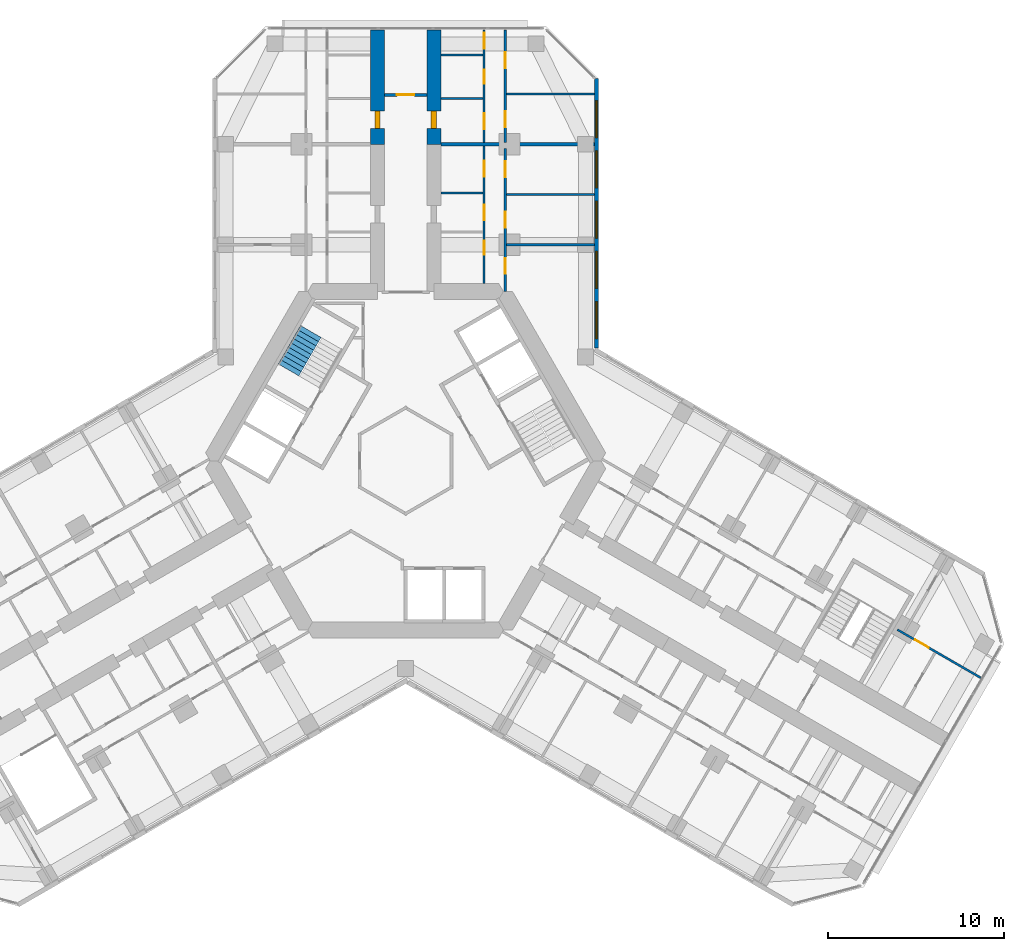
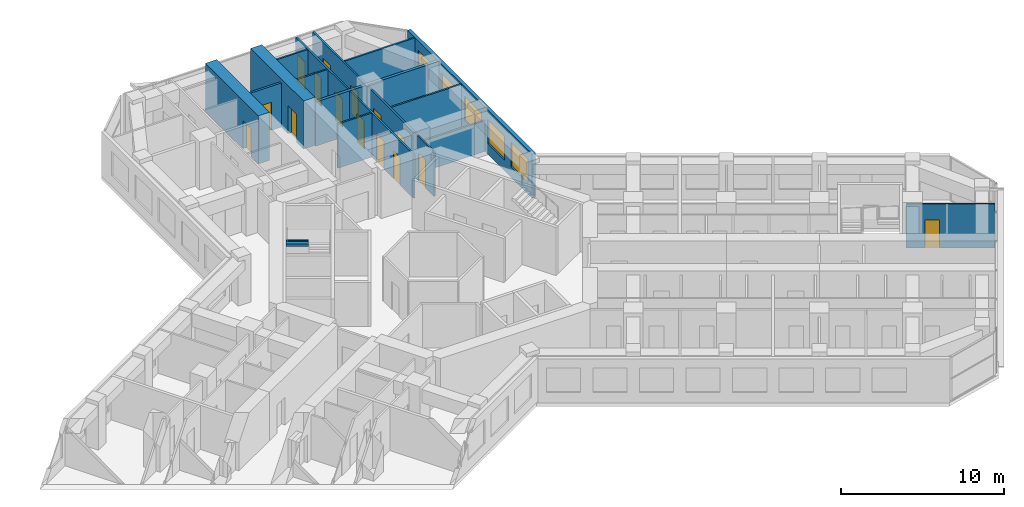
# One storey, part 18 of 20: 16 walls, 15 doors, 5 windows, 1 stair flight, 20 openings, 1 element without a shape of its own.
"""IFC4 building model written with IfcOpenShell, lengths in metres."""

from ifc_helpers import new_model, si_unit, direction, frame, frame_2d, origin, place, context, subcontext, project, spatial, polyline, rectangle, outline, extrude, material, layer, layer_set, type_object, element, fill, aggregate, save


model = new_model("IFC4")

# Units and contexts
model_context = context("Model", 3, precision=1e-05, world=origin(), true_north=direction((0.0, 1.0)))
body_context = subcontext(model_context, "Body", "Model", "MODEL_VIEW")
ifc_project = project(units=[si_unit("LENGTHUNIT", "METRE"), si_unit("AREAUNIT", "SQUARE_METRE"), si_unit("VOLUMEUNIT", "CUBIC_METRE"), si_unit("PLANEANGLEUNIT", "RADIAN"), si_unit("MASSUNIT", "GRAM", prefix="KILO")], contexts=[model_context])

# Site, building, storey
site_placement = place(None, origin())
site = spatial("IfcSite", under=ifc_project, at=site_placement, CompositionType="ELEMENT")
building_placement = place(site_placement, origin())
building = spatial("IfcBuilding", under=site, at=building_placement, Name="Kosmar Iwan School Tower", CompositionType="ELEMENT")
storey_placement = place(building_placement, frame((0.0, 0.0, 183.199951171875)))
storey = spatial("IfcBuildingStorey", under=building, at=storey_placement, Name="L46", CompositionType="ELEMENT", Elevation=183.199951171875)

# Wall, opening, door
ifc_material_1 = material(Name="Concrete C50/60", Category="concrete")
ifc_layer_1 = layer(ifc_material_1, 0.800048828125)
ifc_layer_set_1 = layer_set([ifc_layer_1], Name="Corridor buttress wall 800")
wall_type_1 = type_object("IfcWallType", Name="Corridor buttress wall 800", PredefinedType="SHEAR", material=ifc_layer_set_1)
wall_1_placement = place(storey_placement, frame((-1.60009765625, 17.949951171875, 0.0), z_axis=(0.0, 0.0, 1.0), x_axis=(0.0, 1.0, 0.0)))
wall_1 = element("IfcWall", 1, at=wall_1_placement, inside=storey, type_object=wall_type_1, Name="Corridor wall AL bay 2", PredefinedType="SHEAR", context=body_context, shape_type="SweptSolid", body=[
    extrude(rectangle(XDim=6.4951171875, YDim=0.800048828125, at=frame_2d((3.24755859375, 0.0))), origin(), (0.0, 0.0, 1.0), 3.60009765625),
])
opening_1_placement = place(wall_1_placement, frame((0.89990234375, 0.0, 0.0)))
opening_1 = element("IfcOpeningElement", 2, at=opening_1_placement, cuts=wall_1, Name="Opening D1", PredefinedType="OPENING", context=body_context, shape_type="SweptSolid", body=[
    extrude(rectangle(XDim=1.0, YDim=2.10009765625, at=frame_2d((0.5, 1.050048828125))), frame((0.0, 0.412109375, 0.0), z_axis=(0.0, -1.0, 0.0), x_axis=(1.0, 0.0, 0.0)), (0.0, 0.0, 1.0), 0.823974609375),
])
ifc_material_2 = material(Name="Timber fire door in steel frame", Category="steel")
door_type_1 = type_object("IfcDoorType", Name="Flat entrance door 1000x2100", OperationType="SINGLE_SWING_LEFT", PredefinedType="DOOR", material=ifc_material_2)
door_1_placement = place(opening_1_placement, origin())
door_1 = element("IfcDoor", 3, at=door_1_placement, inside=storey, type_object=door_type_1, Name="Flat L46-AL2 entrance door", OperationType="SINGLE_SWING_RIGHT", OverallHeight=2.10009765625, OverallWidth=1.0, PredefinedType="DOOR", context=body_context, shape_type="SweptSolid", body=[
    extrude(rectangle(XDim=1.0, YDim=2.10009765625, at=frame_2d((0.5, 1.050048828125))), frame((0.0, 0.14990234375, 0.0), z_axis=(0.0, -1.0, 0.0), x_axis=(1.0, 0.0, 0.0)), (0.0, 0.0, 1.0), 0.300048828125),
])
fill(opening_1, door_1)

wall_2_placement = place(storey_placement, frame((1.60009765625, 17.949951171875, 0.0), z_axis=(0.0, 0.0, 1.0), x_axis=(0.0, 1.0, 0.0)))
wall_2 = element("IfcWall", 4, at=wall_2_placement, inside=storey, type_object=wall_type_1, Name="Corridor wall AR bay 2", PredefinedType="SHEAR", context=body_context, shape_type="SweptSolid", body=[
    extrude(rectangle(XDim=6.4951171875, YDim=0.800048828125, at=frame_2d((3.24755859375, 0.0))), origin(), (0.0, 0.0, 1.0), 3.60009765625),
])
opening_2_placement = place(wall_2_placement, frame((0.89990234375, 0.0, 0.0)))
opening_2 = element("IfcOpeningElement", 5, at=opening_2_placement, cuts=wall_2, Name="Opening D1", PredefinedType="OPENING", context=body_context, shape_type="SweptSolid", body=[
    extrude(rectangle(XDim=1.0, YDim=2.10009765625, at=frame_2d((0.5, 1.050048828125))), frame((0.0, 0.412109375, 0.0), z_axis=(0.0, -1.0, 0.0), x_axis=(1.0, 0.0, 0.0)), (0.0, 0.0, 1.0), 0.823974609375),
])
door_2_placement = place(opening_2_placement, origin())
door_2 = element("IfcDoor", 6, at=door_2_placement, inside=storey, type_object=door_type_1, Name="Flat L46-AR2 entrance door", OperationType="SINGLE_SWING_RIGHT", OverallHeight=2.10009765625, OverallWidth=1.0, PredefinedType="DOOR", context=body_context, shape_type="SweptSolid", body=[
    extrude(rectangle(XDim=1.0, YDim=2.10009765625, at=frame_2d((0.5, 1.050048828125))), frame((0.0, 0.14990234375, 0.0), z_axis=(0.0, -1.0, 0.0), x_axis=(1.0, 0.0, 0.0)), (0.0, 0.0, 1.0), 0.300048828125),
])
fill(opening_2, door_2)

ifc_material_3 = material(Name="Gypsum board on steel studs, fire-rated", Category="steel")
ifc_layer_2 = layer(ifc_material_3, 0.14990234375)
ifc_layer_set_2 = layer_set([ifc_layer_2], Name="Corridor end wall 150")
wall_type_2 = type_object("IfcWallType", Name="Corridor end wall 150", PredefinedType="PARTITIONING", material=ifc_layer_set_2)
wall_3_placement = place(storey_placement, frame((1.199951171875, 20.75, 0.0), z_axis=(0.0, 0.0, 1.0), x_axis=(-1.0, 0.0, 0.0)))
wall_3 = element("IfcWall", 7, at=wall_3_placement, inside=storey, type_object=wall_type_2, Name="Partition L46-A-CE", PredefinedType="PARTITIONING", context=body_context, shape_type="SweptSolid", body=[
    extrude(rectangle(XDim=2.39990234375, YDim=0.14990234375, at=frame_2d((1.199951171875, 0.0))), origin(), (0.0, 0.0, 1.0), 3.300048828125),
])
opening_3_placement = place(wall_3_placement, frame((0.699951171875, 0.0, 0.0)))
opening_3 = element("IfcOpeningElement", 8, at=opening_3_placement, cuts=wall_3, Name="Opening D13", PredefinedType="OPENING", context=body_context, shape_type="SweptSolid", body=[
    extrude(rectangle(XDim=1.0, YDim=2.10009765625, at=frame_2d((0.5, 1.050048828125))), frame((0.0, 0.0869140625, 0.0), z_axis=(0.0, -1.0, 0.0), x_axis=(1.0, 0.0, 0.0)), (0.0, 0.0, 1.0), 0.173828125),
])
ifc_material_4 = material(Name="Timber fire door with vision panel", Category="wood")
door_type_2 = type_object("IfcDoorType", Name="Corridor end door 1000x2100", OperationType="SINGLE_SWING_LEFT", PredefinedType="DOOR", material=ifc_material_4)
door_3_placement = place(opening_3_placement, origin())
door_3 = element("IfcDoor", 9, at=door_3_placement, inside=storey, type_object=door_type_2, Name="Prayer room door L46-A", OperationType="SINGLE_SWING_LEFT", OverallHeight=2.10009765625, OverallWidth=1.0, PredefinedType="DOOR", context=body_context, shape_type="SweptSolid", body=[
    extrude(rectangle(XDim=1.0, YDim=2.10009765625, at=frame_2d((0.5, 1.050048828125))), frame((0.0, 0.02490234375, 0.0), z_axis=(0.0, -1.0, 0.0), x_axis=(1.0, 0.0, 0.0)), (0.0, 0.0, 1.0), 0.050048828125),
])
fill(opening_3, door_3)

# Wall, openings, doors
ifc_material_5 = material(Name="Gypsum board on steel studs", Category="steel")
ifc_layer_3 = layer(ifc_material_5, 0.1201171875)
ifc_layer_set_3 = layer_set([ifc_layer_3], Name="Dwelling partition 120")
wall_type_3 = type_object("IfcWallType", Name="Dwelling partition 120", PredefinedType="PARTITIONING", material=ifc_layer_set_3)
wall_4_placement = place(storey_placement, frame((4.449951171875, 10.050048828125, 0.0), z_axis=(0.0, 0.0, 1.0), x_axis=(0.0, 1.0, 0.0)))
wall_4 = element("IfcWall", 10, at=wall_4_placement, inside=storey, type_object=wall_type_3, Name="Partition L46-AR1-W1", PredefinedType="PARTITIONING", context=body_context, shape_type="SweptSolid", body=[
    extrude(rectangle(XDim=7.800048828125, YDim=0.1201171875, at=frame_2d((3.89990234375, 0.0))), origin(), (0.0, 0.0, 1.0), 3.300048828125),
])
opening_4_placement = place(wall_4_placement, frame((1.639892578125, 0.0, 0.0)))
opening_4 = element("IfcOpeningElement", 11, at=opening_4_placement, cuts=wall_4, Name="Opening D3", PredefinedType="OPENING", context=body_context, shape_type="SweptSolid", body=[
    extrude(rectangle(XDim=0.800048828125, YDim=2.10009765625, at=frame_2d((0.39990234375, 1.050048828125))), frame((0.0, 0.072021484375, 0.0), z_axis=(0.0, -1.0, 0.0), x_axis=(1.0, 0.0, 0.0)), (0.0, 0.0, 1.0), 0.14404296875),
])
opening_5_placement = place(wall_4_placement, frame((3.580078125, 0.0, 0.0)))
opening_5 = element("IfcOpeningElement", 12, at=opening_5_placement, cuts=wall_4, Name="Opening D2", PredefinedType="OPENING", context=body_context, shape_type="SweptSolid", body=[
    extrude(rectangle(XDim=0.89990234375, YDim=2.10009765625, at=frame_2d((0.449951171875, 1.050048828125))), frame((0.0, 0.072021484375, 0.0), z_axis=(0.0, -1.0, 0.0), x_axis=(1.0, 0.0, 0.0)), (0.0, 0.0, 1.0), 0.14404296875),
])
opening_6_placement = place(wall_4_placement, frame((6.06494140625, 0.0, 0.0)))
opening_6 = element("IfcOpeningElement", 13, at=opening_6_placement, cuts=wall_4, Name="Opening D2", PredefinedType="OPENING", context=body_context, shape_type="SweptSolid", body=[
    extrude(rectangle(XDim=0.89990234375, YDim=2.10009765625, at=frame_2d((0.449951171875, 1.050048828125))), frame((0.0, 0.072021484375, 0.0), z_axis=(0.0, -1.0, 0.0), x_axis=(1.0, 0.0, 0.0)), (0.0, 0.0, 1.0), 0.14404296875),
])
ifc_material_6 = material(Name="Timber door in timber frame", Category="wood")
door_type_3 = type_object("IfcDoorType", Name="Internal door 900x2100", OperationType="SINGLE_SWING_LEFT", PredefinedType="DOOR", material=ifc_material_6)
door_4_placement = place(opening_5_placement, origin())
door_4 = element("IfcDoor", 14, at=door_4_placement, inside=storey, type_object=door_type_3, Name="Entrance hall door L46-AR1-S2", OperationType="SINGLE_SWING_LEFT", OverallHeight=2.10009765625, OverallWidth=0.89990234375, PredefinedType="DOOR", context=body_context, shape_type="SweptSolid", body=[
    extrude(rectangle(XDim=0.89990234375, YDim=2.10009765625, at=frame_2d((0.449951171875, 1.050048828125))), frame((0.0, 0.02490234375, 0.0), z_axis=(0.0, -1.0, 0.0), x_axis=(1.0, 0.0, 0.0)), (0.0, 0.0, 1.0), 0.050048828125),
])
fill(opening_5, door_4)
door_5_placement = place(opening_6_placement, origin())
door_5 = element("IfcDoor", 15, at=door_5_placement, inside=storey, type_object=door_type_3, Name="Pantry door L46-AR1-S3", OperationType="SINGLE_SWING_RIGHT", OverallHeight=2.10009765625, OverallWidth=0.89990234375, PredefinedType="DOOR", context=body_context, shape_type="SweptSolid", body=[
    extrude(rectangle(XDim=0.89990234375, YDim=2.10009765625, at=frame_2d((0.449951171875, 1.050048828125))), frame((0.0, 0.02490234375, 0.0), z_axis=(0.0, -1.0, 0.0), x_axis=(1.0, 0.0, 0.0)), (0.0, 0.0, 1.0), 0.050048828125),
])
fill(opening_6, door_5)
ifc_material_7 = material(Name="Timber door in timber frame", Category="wood")
door_type_4 = type_object("IfcDoorType", Name="Sanitary room door 800x2100", OperationType="SINGLE_SWING_LEFT", PredefinedType="DOOR", material=ifc_material_7)
door_6_placement = place(opening_4_placement, origin())
door_6 = element("IfcDoor", 16, at=door_6_placement, inside=storey, type_object=door_type_4, Name="Bathroom door L46-AR1-S1", OperationType="SINGLE_SWING_RIGHT", OverallHeight=2.10009765625, OverallWidth=0.800048828125, PredefinedType="DOOR", context=body_context, shape_type="SweptSolid", body=[
    extrude(rectangle(XDim=0.800048828125, YDim=2.10009765625, at=frame_2d((0.39990234375, 1.050048828125))), frame((0.0, 0.02490234375, 0.0), z_axis=(0.0, -1.0, 0.0), x_axis=(1.0, 0.0, 0.0)), (0.0, 0.0, 1.0), 0.050048828125),
])
fill(opening_4, door_6)

wall_5_placement = place(storey_placement, frame((5.64990234375, 9.60009765625, 0.0), z_axis=(0.0, 0.0, 1.0), x_axis=(0.0, 1.0, 0.0)))
wall_5 = element("IfcWall", 17, at=wall_5_placement, inside=storey, type_object=wall_type_3, Name="Partition L46-AR1-W2", PredefinedType="PARTITIONING", context=body_context, shape_type="SweptSolid", body=[
    extrude(rectangle(XDim=8.099853515625, YDim=0.1201171875, at=frame_2d((4.0498046875, 0.0))), origin(), (0.0, 0.0, 1.0), 3.300048828125),
])
opening_7_placement = place(wall_5_placement, frame((1.0, 0.0, 0.0)))
opening_7 = element("IfcOpeningElement", 18, at=opening_7_placement, cuts=wall_5, Name="Opening D2", PredefinedType="OPENING", context=body_context, shape_type="SweptSolid", body=[
    extrude(rectangle(XDim=0.89990234375, YDim=2.10009765625, at=frame_2d((0.449951171875, 1.050048828125))), frame((0.0, 0.072021484375, 0.0), z_axis=(0.0, -1.0, 0.0), x_axis=(1.0, 0.0, 0.0)), (0.0, 0.0, 1.0), 0.14404296875),
])
opening_8_placement = place(wall_5_placement, frame((3.625, 0.0, 0.0)))
opening_8 = element("IfcOpeningElement", 19, at=opening_8_placement, cuts=wall_5, Name="Opening D2", PredefinedType="OPENING", context=body_context, shape_type="SweptSolid", body=[
    extrude(rectangle(XDim=0.89990234375, YDim=2.10009765625, at=frame_2d((0.449951171875, 1.050048828125))), frame((0.0, 0.072021484375, 0.0), z_axis=(0.0, -1.0, 0.0), x_axis=(1.0, 0.0, 0.0)), (0.0, 0.0, 1.0), 0.14404296875),
])
opening_9_placement = place(wall_5_placement, frame((6.47509765625, 0.0, 0.0)))
opening_9 = element("IfcOpeningElement", 20, at=opening_9_placement, cuts=wall_5, Name="Opening D2", PredefinedType="OPENING", context=body_context, shape_type="SweptSolid", body=[
    extrude(rectangle(XDim=0.89990234375, YDim=2.10009765625, at=frame_2d((0.449951171875, 1.050048828125))), frame((0.0, 0.072021484375, 0.0), z_axis=(0.0, -1.0, 0.0), x_axis=(1.0, 0.0, 0.0)), (0.0, 0.0, 1.0), 0.14404296875),
])
door_7_placement = place(opening_7_placement, origin())
door_7 = element("IfcDoor", 21, at=door_7_placement, inside=storey, type_object=door_type_3, Name="Family room and kitchen door L46-AR1-F1", OperationType="SINGLE_SWING_LEFT", OverallHeight=2.10009765625, OverallWidth=0.89990234375, PredefinedType="DOOR", context=body_context, shape_type="SweptSolid", body=[
    extrude(rectangle(XDim=0.89990234375, YDim=2.10009765625, at=frame_2d((0.449951171875, 1.050048828125))), frame((0.0, 0.02490234375, 0.0), z_axis=(0.0, -1.0, 0.0), x_axis=(1.0, 0.0, 0.0)), (0.0, 0.0, 1.0), 0.050048828125),
])
fill(opening_7, door_7)
door_8_placement = place(opening_8_placement, origin())
door_8 = element("IfcDoor", 22, at=door_8_placement, inside=storey, type_object=door_type_3, Name="Study door L46-AR1-F2", OperationType="SINGLE_SWING_LEFT", OverallHeight=2.10009765625, OverallWidth=0.89990234375, PredefinedType="DOOR", context=body_context, shape_type="SweptSolid", body=[
    extrude(rectangle(XDim=0.89990234375, YDim=2.10009765625, at=frame_2d((0.449951171875, 1.050048828125))), frame((0.0, 0.02490234375, 0.0), z_axis=(0.0, -1.0, 0.0), x_axis=(1.0, 0.0, 0.0)), (0.0, 0.0, 1.0), 0.050048828125),
])
fill(opening_8, door_8)
door_9_placement = place(opening_9_placement, origin())
door_9 = element("IfcDoor", 23, at=door_9_placement, inside=storey, type_object=door_type_3, Name="Bedroom 1 door L46-AR1-F3", OperationType="SINGLE_SWING_RIGHT", OverallHeight=2.10009765625, OverallWidth=0.89990234375, PredefinedType="DOOR", context=body_context, shape_type="SweptSolid", body=[
    extrude(rectangle(XDim=0.89990234375, YDim=2.10009765625, at=frame_2d((0.449951171875, 1.050048828125))), frame((0.0, 0.02490234375, 0.0), z_axis=(0.0, -1.0, 0.0), x_axis=(1.0, 0.0, 0.0)), (0.0, 0.0, 1.0), 0.050048828125),
])
fill(opening_9, door_9)

# Walls
wall_6_placement = place(storey_placement, frame((5.7099609375, 12.25, 0.0), z_axis=(0.0, 0.0, 1.0), x_axis=(1.0, 0.0, 0.0)))
element("IfcWall", 24, at=wall_6_placement, inside=storey, type_object=wall_type_3, Name="Partition L46-AR1-X1", PredefinedType="PARTITIONING", context=body_context, shape_type="SweptSolid", body=[
    extrude(rectangle(XDim=4.989990234375, YDim=0.1201171875, at=frame_2d((2.4951171875, 0.0))), origin(), (0.0, 0.0, 1.0), 2.300048828125),
])
wall_7_placement = place(storey_placement, frame((5.7099609375, 15.10009765625, 0.0), z_axis=(0.0, 0.0, 1.0), x_axis=(1.0, 0.0, 0.0)))
element("IfcWall", 25, at=wall_7_placement, inside=storey, type_object=wall_type_3, Name="Partition L46-AR1-X2", PredefinedType="PARTITIONING", context=body_context, shape_type="SweptSolid", body=[
    extrude(rectangle(XDim=4.989990234375, YDim=0.1201171875, at=frame_2d((2.4951171875, 0.0))), origin(), (0.0, 0.0, 1.0), 3.300048828125),
])
wall_8_placement = place(storey_placement, frame((2.0, 15.179931640625, 0.0), z_axis=(0.0, 0.0, 1.0), x_axis=(1.0, 0.0, 0.0)))
element("IfcWall", 26, at=wall_8_placement, inside=storey, type_object=wall_type_3, Name="Partition L46-AR1-Y2", PredefinedType="PARTITIONING", context=body_context, shape_type="SweptSolid", body=[
    extrude(rectangle(XDim=2.389892578125, YDim=0.1201171875, at=frame_2d((1.19482421875, 0.0))), origin(), (0.0, 0.0, 1.0), 3.300048828125),
])

# Wall, openings, doors
wall_9_placement = place(storey_placement, frame((4.449951171875, 18.050048828125, 0.0), z_axis=(0.0, 0.0, 1.0), x_axis=(0.0, 1.0, 0.0)))
wall_9 = element("IfcWall", 27, at=wall_9_placement, inside=storey, type_object=wall_type_3, Name="Partition L46-AR2-W1", PredefinedType="PARTITIONING", context=body_context, shape_type="SweptSolid", body=[
    extrude(rectangle(XDim=6.39501953125, YDim=0.1201171875, at=frame_2d((3.197509765625, 0.0))), origin(), (0.0, 0.0, 1.0), 3.300048828125),
])
opening_10_placement = place(wall_9_placement, frame((0.75, 0.0, 0.0)))
opening_10 = element("IfcOpeningElement", 28, at=opening_10_placement, cuts=wall_9, Name="Opening D2", PredefinedType="OPENING", context=body_context, shape_type="SweptSolid", body=[
    extrude(rectangle(XDim=0.89990234375, YDim=2.10009765625, at=frame_2d((0.449951171875, 1.050048828125))), frame((0.0, 0.072021484375, 0.0), z_axis=(0.0, -1.0, 0.0), x_axis=(1.0, 0.0, 0.0)), (0.0, 0.0, 1.0), 0.14404296875),
])
opening_11_placement = place(wall_9_placement, frame((3.330078125, 0.0, 0.0)))
opening_11 = element("IfcOpeningElement", 29, at=opening_11_placement, cuts=wall_9, Name="Opening D3", PredefinedType="OPENING", context=body_context, shape_type="SweptSolid", body=[
    extrude(rectangle(XDim=0.800048828125, YDim=2.10009765625, at=frame_2d((0.39990234375, 1.050048828125))), frame((0.0, 0.072021484375, 0.0), z_axis=(0.0, -1.0, 0.0), x_axis=(1.0, 0.0, 0.0)), (0.0, 0.0, 1.0), 0.14404296875),
])
opening_12_placement = place(wall_9_placement, frame((5.330078125, 0.0, 0.0)))
opening_12 = element("IfcOpeningElement", 30, at=opening_12_placement, cuts=wall_9, Name="Opening D2", PredefinedType="OPENING", context=body_context, shape_type="SweptSolid", body=[
    extrude(rectangle(XDim=0.89990234375, YDim=2.10009765625, at=frame_2d((0.449951171875, 1.050048828125))), frame((0.0, 0.072021484375, 0.0), z_axis=(0.0, -1.0, 0.0), x_axis=(1.0, 0.0, 0.0)), (0.0, 0.0, 1.0), 0.14404296875),
])
door_10_placement = place(opening_10_placement, origin())
door_10 = element("IfcDoor", 31, at=door_10_placement, inside=storey, type_object=door_type_3, Name="Entrance hall door L46-AR2-S1", OperationType="SINGLE_SWING_RIGHT", OverallHeight=2.10009765625, OverallWidth=0.89990234375, PredefinedType="DOOR", context=body_context, shape_type="SweptSolid", body=[
    extrude(rectangle(XDim=0.89990234375, YDim=2.10009765625, at=frame_2d((0.449951171875, 1.050048828125))), frame((0.0, 0.02490234375, 0.0), z_axis=(0.0, -1.0, 0.0), x_axis=(1.0, 0.0, 0.0)), (0.0, 0.0, 1.0), 0.050048828125),
])
fill(opening_10, door_10)
door_11_placement = place(opening_12_placement, origin())
door_11 = element("IfcDoor", 32, at=door_11_placement, inside=storey, type_object=door_type_3, Name="Pantry door L46-AR2-S3", OperationType="SINGLE_SWING_RIGHT", OverallHeight=2.10009765625, OverallWidth=0.89990234375, PredefinedType="DOOR", context=body_context, shape_type="SweptSolid", body=[
    extrude(rectangle(XDim=0.89990234375, YDim=2.10009765625, at=frame_2d((0.449951171875, 1.050048828125))), frame((0.0, 0.02490234375, 0.0), z_axis=(0.0, -1.0, 0.0), x_axis=(1.0, 0.0, 0.0)), (0.0, 0.0, 1.0), 0.050048828125),
])
fill(opening_12, door_11)
door_12_placement = place(opening_11_placement, origin())
door_12 = element("IfcDoor", 33, at=door_12_placement, inside=storey, type_object=door_type_4, Name="Bathroom door L46-AR2-S2", OperationType="SINGLE_SWING_LEFT", OverallHeight=2.10009765625, OverallWidth=0.800048828125, PredefinedType="DOOR", context=body_context, shape_type="SweptSolid", body=[
    extrude(rectangle(XDim=0.800048828125, YDim=2.10009765625, at=frame_2d((0.39990234375, 1.050048828125))), frame((0.0, 0.02490234375, 0.0), z_axis=(0.0, -1.0, 0.0), x_axis=(1.0, 0.0, 0.0)), (0.0, 0.0, 1.0), 0.050048828125),
])
fill(opening_11, door_12)

wall_10_placement = place(storey_placement, frame((5.64990234375, 18.050048828125, 0.0), z_axis=(0.0, 0.0, 1.0), x_axis=(0.0, 1.0, 0.0)))
wall_10 = element("IfcWall", 34, at=wall_10_placement, inside=storey, type_object=wall_type_3, Name="Partition L46-AR2-W2", PredefinedType="PARTITIONING", context=body_context, shape_type="SweptSolid", body=[
    extrude(rectangle(XDim=6.39501953125, YDim=0.1201171875, at=frame_2d((3.197509765625, 0.0))), origin(), (0.0, 0.0, 1.0), 3.300048828125),
])
opening_13_placement = place(wall_10_placement, frame((0.875, 0.0, 0.0)))
opening_13 = element("IfcOpeningElement", 35, at=opening_13_placement, cuts=wall_10, Name="Opening D2", PredefinedType="OPENING", context=body_context, shape_type="SweptSolid", body=[
    extrude(rectangle(XDim=0.89990234375, YDim=2.10009765625, at=frame_2d((0.449951171875, 1.050048828125))), frame((0.0, 0.072021484375, 0.0), z_axis=(0.0, -1.0, 0.0), x_axis=(1.0, 0.0, 0.0)), (0.0, 0.0, 1.0), 0.14404296875),
])
opening_14_placement = place(wall_10_placement, frame((4.22509765625, 0.0, 0.0)))
opening_14 = element("IfcOpeningElement", 36, at=opening_14_placement, cuts=wall_10, Name="Opening D2", PredefinedType="OPENING", context=body_context, shape_type="SweptSolid", body=[
    extrude(rectangle(XDim=0.89990234375, YDim=2.10009765625, at=frame_2d((0.449951171875, 1.050048828125))), frame((0.0, 0.072021484375, 0.0), z_axis=(0.0, -1.0, 0.0), x_axis=(1.0, 0.0, 0.0)), (0.0, 0.0, 1.0), 0.14404296875),
])
door_13_placement = place(opening_13_placement, origin())
door_13 = element("IfcDoor", 37, at=door_13_placement, inside=storey, type_object=door_type_3, Name="Family room and kitchen door L46-AR2-F1", OperationType="SINGLE_SWING_LEFT", OverallHeight=2.10009765625, OverallWidth=0.89990234375, PredefinedType="DOOR", context=body_context, shape_type="SweptSolid", body=[
    extrude(rectangle(XDim=0.89990234375, YDim=2.10009765625, at=frame_2d((0.449951171875, 1.050048828125))), frame((0.0, 0.02490234375, 0.0), z_axis=(0.0, -1.0, 0.0), x_axis=(1.0, 0.0, 0.0)), (0.0, 0.0, 1.0), 0.050048828125),
])
fill(opening_13, door_13)
door_14_placement = place(opening_14_placement, origin())
door_14 = element("IfcDoor", 38, at=door_14_placement, inside=storey, type_object=door_type_3, Name="Bedroom 1 door L46-AR2-F2", OperationType="SINGLE_SWING_RIGHT", OverallHeight=2.10009765625, OverallWidth=0.89990234375, PredefinedType="DOOR", context=body_context, shape_type="SweptSolid", body=[
    extrude(rectangle(XDim=0.89990234375, YDim=2.10009765625, at=frame_2d((0.449951171875, 1.050048828125))), frame((0.0, 0.02490234375, 0.0), z_axis=(0.0, -1.0, 0.0), x_axis=(1.0, 0.0, 0.0)), (0.0, 0.0, 1.0), 0.050048828125),
])
fill(opening_14, door_14)

# Walls
wall_11_placement = place(storey_placement, frame((5.7099609375, 20.800048828125, 0.0), z_axis=(0.0, 0.0, 1.0), x_axis=(1.0, 0.0, 0.0)))
element("IfcWall", 39, at=wall_11_placement, inside=storey, type_object=wall_type_3, Name="Partition L46-AR2-X1", PredefinedType="PARTITIONING", context=body_context, shape_type="SweptSolid", body=[
    extrude(rectangle(XDim=4.989990234375, YDim=0.1201171875, at=frame_2d((2.4951171875, 0.0))), origin(), (0.0, 0.0, 1.0), 3.300048828125),
])
for number, where, z_axis, x_axis, name in (
    (40, (2.0, 20.550048828125, 0.0), (0.0, 0.0, 1.0), (1.0, 0.0, 0.0), "Partition L46-AR2-Y1"),
    (41, (2.0, 23.010009765625, 0.0), (0.0, 0.0, 1.0), (1.0, 0.0, 0.0), "Partition L46-AR2-Y2"),
):
    element("IfcWall", number, at=place(storey_placement, frame(where, z_axis=z_axis, x_axis=x_axis)), inside=storey, type_object=wall_type_3, Name=name, PredefinedType="PARTITIONING", context=body_context, shape_type="SweptSolid", body=[
        extrude(rectangle(XDim=2.389892578125, YDim=0.1201171875, at=frame_2d((1.19482421875, 0.0))), origin(), (0.0, 0.0, 1.0), 3.300048828125),
    ])

# Wall, opening, door
wall_12_placement = place(storey_placement, frame((27.896484375, -9.58203125, 0.0), z_axis=(0.0, 0.0, 1.0), x_axis=(0.866035508231, -0.499982498177, 0.0)))
wall_12 = element("IfcWall", 42, at=wall_12_placement, inside=storey, type_object=wall_type_3, Name="Partition L46-CL2-TW", PredefinedType="PARTITIONING", context=body_context, shape_type="SweptSolid", body=[
    extrude(rectangle(XDim=5.445068359375, YDim=0.1201171875, at=frame_2d((2.72265625, 0.0))), origin(), (0.0, 0.0, 1.0), 3.300048828125),
])
opening_15_placement = place(wall_12_placement, frame((1.14990234375, 0.0, 0.0)))
opening_15 = element("IfcOpeningElement", 43, at=opening_15_placement, cuts=wall_12, Name="Opening D2", PredefinedType="OPENING", context=body_context, shape_type="SweptSolid", body=[
    extrude(rectangle(XDim=0.89990234375, YDim=2.10009765625, at=frame_2d((0.449951171875, 1.050048828125))), frame((0.0, 0.072021484375, 0.0), z_axis=(0.0, -1.0, 0.0), x_axis=(1.0, 0.0, 0.0)), (0.0, 0.0, 1.0), 0.14404296875),
])
door_15_placement = place(opening_15_placement, origin())
door_15 = element("IfcDoor", 44, at=door_15_placement, inside=storey, type_object=door_type_3, Name="Dressing room door L46-CL2-T3", OperationType="SINGLE_SWING_LEFT", OverallHeight=2.10009765625, OverallWidth=0.89990234375, PredefinedType="DOOR", context=body_context, shape_type="SweptSolid", body=[
    extrude(rectangle(XDim=0.89990234375, YDim=2.10009765625, at=frame_2d((0.449951171875, 1.050048828125))), frame((0.0, 0.02490234375, 0.0), z_axis=(0.0, -1.0, 0.0), x_axis=(1.0, 0.0, 0.0)), (0.0, 0.0, 1.0), 0.050048828125),
])
fill(opening_15, door_15)

# Wall, openings, windows
ifc_material_8 = material(Name="Black aluminium rainscreen on insulated framing", Category="aluminium")
ifc_layer_4 = layer(ifc_material_8, 0.25)
ifc_layer_set_4 = layer_set([ifc_layer_4], Name="External wall rainscreen 250")
wall_type_4 = type_object("IfcWallType", Name="External wall rainscreen 250", PredefinedType="SOLIDWALL", material=ifc_layer_set_4)
wall_13_placement = place(storey_placement, frame((10.824951171875, 6.408935546875, 0.0), z_axis=(0.0, 0.0, 1.0), x_axis=(0.0, 1.0, 0.0)))
wall_13 = element("IfcWall", 45, at=wall_13_placement, inside=storey, type_object=wall_type_4, Name="External wall AR L46", PredefinedType="SOLIDWALL", context=body_context, shape_type="SweptSolid", body=[
    extrude(rectangle(XDim=15.2763671875, YDim=0.25, at=frame_2d((7.63818359375, 0.0))), origin(), (0.0, 0.0, 1.0), 3.300048828125),
])
opening_16_placement = place(wall_13_placement, frame((0.51611328125, 0.0, 0.800048828125)))
opening_16 = element("IfcOpeningElement", 46, at=opening_16_placement, cuts=wall_13, Name="Opening W4", PredefinedType="OPENING", context=body_context, shape_type="SweptSolid", body=[
    extrude(rectangle(XDim=2.10009765625, YDim=1.800048828125, at=frame_2d((1.050048828125, 0.89990234375))), frame((0.0, 0.136962890625, 0.0), z_axis=(0.0, -1.0, 0.0), x_axis=(1.0, 0.0, 0.0)), (0.0, 0.0, 1.0), 0.27392578125),
])
opening_17_placement = place(wall_13_placement, frame((3.365966796875, 0.0, 0.800048828125)))
opening_17 = element("IfcOpeningElement", 47, at=opening_17_placement, cuts=wall_13, Name="Opening W4", PredefinedType="OPENING", context=body_context, shape_type="SweptSolid", body=[
    extrude(rectangle(XDim=2.10009765625, YDim=1.800048828125, at=frame_2d((1.050048828125, 0.89990234375))), frame((0.0, 0.136962890625, 0.0), z_axis=(0.0, -1.0, 0.0), x_axis=(1.0, 0.0, 0.0)), (0.0, 0.0, 1.0), 0.27392578125),
])
opening_18_placement = place(wall_13_placement, frame((6.216064453125, 0.0, 0.800048828125)))
opening_18 = element("IfcOpeningElement", 48, at=opening_18_placement, cuts=wall_13, Name="Opening W4", PredefinedType="OPENING", context=body_context, shape_type="SweptSolid", body=[
    extrude(rectangle(XDim=2.10009765625, YDim=1.800048828125, at=frame_2d((1.050048828125, 0.89990234375))), frame((0.0, 0.136962890625, 0.0), z_axis=(0.0, -1.0, 0.0), x_axis=(1.0, 0.0, 0.0)), (0.0, 0.0, 1.0), 0.27392578125),
])
opening_19_placement = place(wall_13_placement, frame((9.06591796875, 0.0, 0.800048828125)))
opening_19 = element("IfcOpeningElement", 49, at=opening_19_placement, cuts=wall_13, Name="Opening W4", PredefinedType="OPENING", context=body_context, shape_type="SweptSolid", body=[
    extrude(rectangle(XDim=2.10009765625, YDim=1.800048828125, at=frame_2d((1.050048828125, 0.89990234375))), frame((0.0, 0.136962890625, 0.0), z_axis=(0.0, -1.0, 0.0), x_axis=(1.0, 0.0, 0.0)), (0.0, 0.0, 1.0), 0.27392578125),
])
opening_20_placement = place(wall_13_placement, frame((11.916015625, 0.0, 0.800048828125)))
opening_20 = element("IfcOpeningElement", 50, at=opening_20_placement, cuts=wall_13, Name="Opening W4", PredefinedType="OPENING", context=body_context, shape_type="SweptSolid", body=[
    extrude(rectangle(XDim=2.10009765625, YDim=1.800048828125, at=frame_2d((1.050048828125, 0.89990234375))), frame((0.0, 0.136962890625, 0.0), z_axis=(0.0, -1.0, 0.0), x_axis=(1.0, 0.0, 0.0)), (0.0, 0.0, 1.0), 0.27392578125),
])
ifc_material_9 = material(Name="Black aluminium frame with dark triple glazing", Category="aluminium")
window_type = type_object("IfcWindowType", Name="Window 2100x1800", PartitioningType="SINGLE_PANEL", PredefinedType="WINDOW", material=ifc_material_9)
window_1_placement = place(opening_16_placement, origin())
window_1 = element("IfcWindow", 51, at=window_1_placement, inside=storey, type_object=window_type, Name="Window AR L46 -1", OverallHeight=1.800048828125, OverallWidth=2.10009765625, PartitioningType="SINGLE_PANEL", PredefinedType="WINDOW", context=body_context, shape_type="SweptSolid", body=[
    extrude(rectangle(XDim=2.10009765625, YDim=1.800048828125, at=frame_2d((1.050048828125, 0.89990234375))), frame((0.0, 0.030029296875, 0.0), z_axis=(0.0, -1.0, 0.0), x_axis=(1.0, 0.0, 0.0)), (0.0, 0.0, 1.0), 0.06005859375),
])
fill(opening_16, window_1)
window_2_placement = place(opening_17_placement, origin())
window_2 = element("IfcWindow", 52, at=window_2_placement, inside=storey, type_object=window_type, Name="Window AR L46 0", OverallHeight=1.800048828125, OverallWidth=2.10009765625, PartitioningType="SINGLE_PANEL", PredefinedType="WINDOW", context=body_context, shape_type="SweptSolid", body=[
    extrude(rectangle(XDim=2.10009765625, YDim=1.800048828125, at=frame_2d((1.050048828125, 0.89990234375))), frame((0.0, 0.030029296875, 0.0), z_axis=(0.0, -1.0, 0.0), x_axis=(1.0, 0.0, 0.0)), (0.0, 0.0, 1.0), 0.06005859375),
])
fill(opening_17, window_2)
window_3_placement = place(opening_18_placement, origin())
window_3 = element("IfcWindow", 53, at=window_3_placement, inside=storey, type_object=window_type, Name="Window AR L46 1", OverallHeight=1.800048828125, OverallWidth=2.10009765625, PartitioningType="SINGLE_PANEL", PredefinedType="WINDOW", context=body_context, shape_type="SweptSolid", body=[
    extrude(rectangle(XDim=2.10009765625, YDim=1.800048828125, at=frame_2d((1.050048828125, 0.89990234375))), frame((0.0, 0.030029296875, 0.0), z_axis=(0.0, -1.0, 0.0), x_axis=(1.0, 0.0, 0.0)), (0.0, 0.0, 1.0), 0.06005859375),
])
fill(opening_18, window_3)
window_4_placement = place(opening_19_placement, origin())
window_4 = element("IfcWindow", 54, at=window_4_placement, inside=storey, type_object=window_type, Name="Window AR L46 2", OverallHeight=1.800048828125, OverallWidth=2.10009765625, PartitioningType="SINGLE_PANEL", PredefinedType="WINDOW", context=body_context, shape_type="SweptSolid", body=[
    extrude(rectangle(XDim=2.10009765625, YDim=1.800048828125, at=frame_2d((1.050048828125, 0.89990234375))), frame((0.0, 0.030029296875, 0.0), z_axis=(0.0, -1.0, 0.0), x_axis=(1.0, 0.0, 0.0)), (0.0, 0.0, 1.0), 0.06005859375),
])
fill(opening_19, window_4)
window_5_placement = place(opening_20_placement, origin())
window_5 = element("IfcWindow", 55, at=window_5_placement, inside=storey, type_object=window_type, Name="Window AR L46 3", OverallHeight=1.800048828125, OverallWidth=2.10009765625, PartitioningType="SINGLE_PANEL", PredefinedType="WINDOW", context=body_context, shape_type="SweptSolid", body=[
    extrude(rectangle(XDim=2.10009765625, YDim=1.800048828125, at=frame_2d((1.050048828125, 0.89990234375))), frame((0.0, 0.030029296875, 0.0), z_axis=(0.0, -1.0, 0.0), x_axis=(1.0, 0.0, 0.0)), (0.0, 0.0, 1.0), 0.06005859375),
])
fill(opening_20, window_5)

# Wall
ifc_material_10 = material(Name="Concrete block masonry", Category="masonry")
ifc_layer_5 = layer(ifc_material_10, 0.199951171875)
ifc_layer_set_5 = layer_set([ifc_layer_5], Name="Party wall 200")
wall_type_5 = type_object("IfcWallType", Name="Party wall 200", PredefinedType="PARTITIONING", material=ifc_layer_set_5)
wall_14_placement = place(storey_placement, frame((2.0, 17.949951171875, 0.0), z_axis=(0.0, 0.0, 1.0), x_axis=(1.0, 0.0, 0.0)))
element("IfcWall", 56, at=wall_14_placement, inside=storey, type_object=wall_type_5, Name="Partition L46-AR2-PW", PredefinedType="PARTITIONING", context=body_context, shape_type="SweptSolid", body=[
    extrude(rectangle(XDim=8.699951171875, YDim=0.199951171875, at=frame_2d((4.35009765625, 0.0))), origin(), (0.0, 0.0, 1.0), 3.300048828125),
])

# Stair, stair flight
ifc_material_11 = material(Name="Concrete C35/45", Category="concrete")
stair_type = type_object("IfcStairType", Name="Core stair 2750", PredefinedType="HALF_TURN_STAIR", material=ifc_material_11)
stair_placement = place(storey_placement, origin())
stair = element("IfcStair", 57, at=stair_placement, inside=storey, type_object=stair_type, Name="Stair ST2 L46", PredefinedType="HALF_TURN_STAIR")
ifc_material_12 = material(Name="Concrete C35/45", Category="concrete")
stair_flight_type = type_object("IfcStairFlightType", Name="Stair flight 1350", PredefinedType="STRAIGHT", material=ifc_material_12)
stair_flight_placement = place(storey_placement, frame((-5.379638671875, 7.33203125, 1.800048828125), z_axis=(0.0, 0.0, 1.0), x_axis=(-0.5, -0.866025403784, 0.0)))
stair_flight = element("IfcStairFlight", 58, at=stair_flight_placement, type_object=stair_flight_type, Name="ST2 flight 2", NumberOfRisers=10, NumberOfTreads=9, PredefinedType="STRAIGHT", RiserHeight=0.18, TreadLength=0.28, context=body_context, shape_type="SweptSolid", body=[
    extrude(outline(polyline([(0.0, 0.0), (0.0, 0.179931640625), (0.280029296875, 0.179931640625), (0.280029296875, 0.360107421875), (0.56005859375, 0.360107421875), (0.56005859375, 0.5400390625), (0.840087890625, 0.5400390625), (0.840087890625, 0.719970703125), (1.1201171875, 0.719970703125), (1.1201171875, 0.89990234375), (1.39990234375, 0.89990234375), (1.39990234375, 1.080078125), (1.679931640625, 1.080078125), (1.679931640625, 1.260009765625), (1.9599609375, 1.260009765625), (1.9599609375, 1.43994140625), (2.239990234375, 1.43994140625), (2.239990234375, 1.6201171875), (2.52001953125, 1.6201171875), (2.52001953125, 1.800048828125), (2.52001953125, 1.44189453125), (0.277099609375, 0.0), (0.0, 0.0)])), frame((0.0, 0.675048828125, 0.0), z_axis=(0.0, -1.0, 0.0), x_axis=(1.0, 0.0, 0.0)), (0.0, 0.0, 1.0), 1.35009765625),
])
aggregate(stair, [stair_flight])

save(model, "model.ifc")
